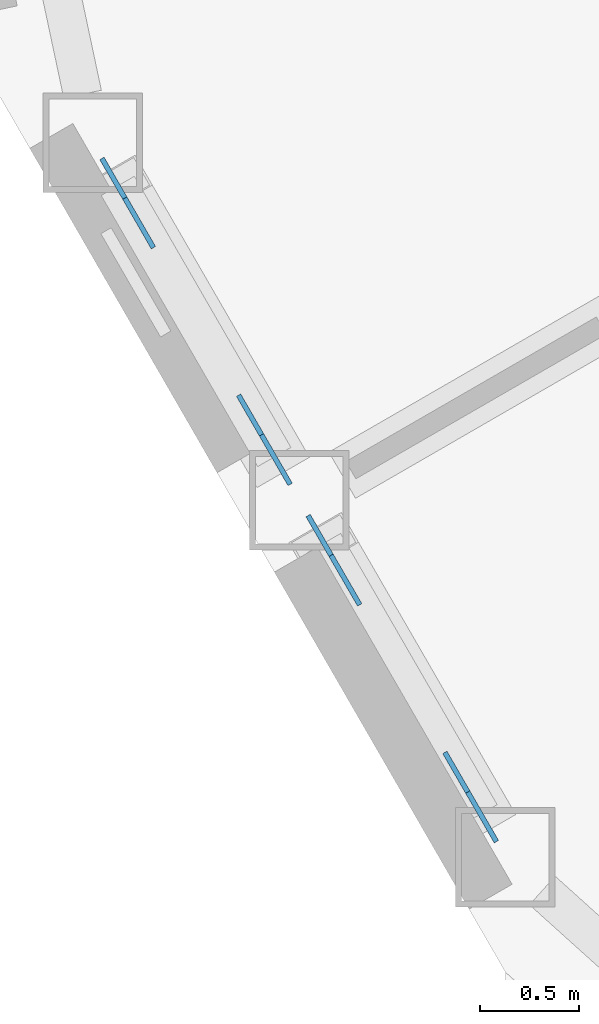
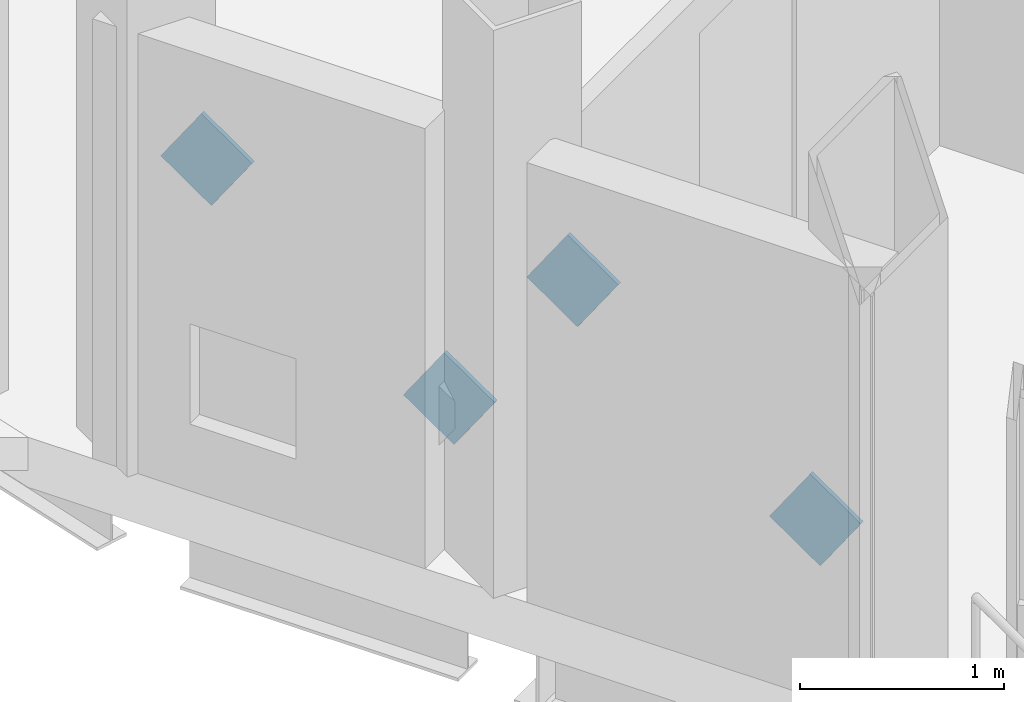
# One storey, part 19 of 26: 4 discrete accessories.
"""IFC4 building model written with IfcOpenShell, lengths in metres."""

from ifc_helpers import new_model, si_unit, direction, frame, origin, origin_2d, place, context, subcontext, project, spatial, rectangle, extrude, material, material_profile, profile_set, type_object, element, save


model = new_model("IFC4")

# Units and contexts
model_context = context("Model", 3, precision=1e-05, world=origin(), true_north=direction((0.0, 1.0)))
body_context = subcontext(model_context, "Body", "Model", "MODEL_VIEW")
ifc_project = project(units=[si_unit("LENGTHUNIT", "METRE"), si_unit("AREAUNIT", "SQUARE_METRE"), si_unit("VOLUMEUNIT", "CUBIC_METRE"), si_unit("PLANEANGLEUNIT", "RADIAN"), si_unit("MASSUNIT", "GRAM", prefix="KILO")], contexts=[model_context])

# Site, building, storey
site_placement = place(None, origin())
site = spatial("IfcSite", under=ifc_project, at=site_placement, CompositionType="ELEMENT")
building_placement = place(site_placement, origin())
building = spatial("IfcBuilding", under=site, at=building_placement, Name="Cormorant Prow Tower", CompositionType="ELEMENT")
storey_placement = place(building_placement, frame((0.0, 0.0, 371.199951171875)))
storey = spatial("IfcBuildingStorey", under=building, at=storey_placement, Name="L83", CompositionType="ELEMENT", Elevation=371.199951171875)

# Discrete accessories
ifc_material = material(Name="Structural steel ASTM A500 Gr C", Category="steel")
ifc_material_profile = material_profile(ifc_material, rectangle(XDim=0.02490234375, YDim=0.405029296875, at=origin_2d()), Name="Gusset plate 25x405")
ifc_profile_set = profile_set([ifc_material_profile], Name="Structural steel ASTM A500 Gr C")
discrete_accessory_type = type_object("IfcDiscreteAccessoryType", Name="Gusset plate 25x405", PredefinedType="BRACKET", material=ifc_profile_set)
discrete_accessory_1_placement = place(storey_placement, frame((-27.28369140625, -15.182373046875, 0.941162109375), z_axis=(0.411595697368, -0.712269842394, -0.568560158228), x_axis=(0.865832418869, 0.500334110806, 0.0)))
element("IfcDiscreteAccessory", 1, at=discrete_accessory_1_placement, inside=storey, type_object=discrete_accessory_type, Name="Gusset plate GP3 L83.WSW00.g0", PredefinedType="BRACKET", context=body_context, shape_type="SweptSolid", body=[
    extrude(rectangle(XDim=0.02490234375, YDim=0.405029296875, at=origin_2d()), origin(), (0.0, 0.0, 1.0), 0.349853515625),
])
discrete_accessory_2_placement = place(storey_placement, frame((-27.8271484375, -14.2412109375, 1.692626953125), z_axis=(-0.410852891059, 0.712191514043, 0.569195176748), x_axis=(-0.866199709737, -0.499697971631, 0.0)))
element("IfcDiscreteAccessory", 2, at=discrete_accessory_2_placement, inside=storey, type_object=discrete_accessory_type, Name="Gusset plate GP3 L83.WSW00.g1", PredefinedType="BRACKET", context=body_context, shape_type="SweptSolid", body=[
    extrude(rectangle(XDim=0.02490234375, YDim=0.405029296875, at=origin_2d()), origin(), (0.0, 0.0, 1.0), 0.35009765625),
])
discrete_accessory_3_placement = place(storey_placement, frame((-26.246826171875, -16.978271484375, 0.941162109375), z_axis=(0.411595697368, -0.712269842394, -0.568560158228), x_axis=(0.865832418869, 0.500334110806, 0.0)))
element("IfcDiscreteAccessory", 3, at=discrete_accessory_3_placement, inside=storey, type_object=discrete_accessory_type, Name="Gusset plate GP3 L83.WSW01.g0", PredefinedType="BRACKET", context=body_context, shape_type="SweptSolid", body=[
    extrude(rectangle(XDim=0.02490234375, YDim=0.405029296875, at=origin_2d()), origin(), (0.0, 0.0, 1.0), 0.349853515625),
])
discrete_accessory_4_placement = place(storey_placement, frame((-26.7900390625, -16.037109375, 1.692626953125), z_axis=(-0.411432439557, 0.711987323368, 0.5690319842), x_axis=(-0.865832418869, -0.500334110806, 0.0)))
element("IfcDiscreteAccessory", 4, at=discrete_accessory_4_placement, inside=storey, type_object=discrete_accessory_type, Name="Gusset plate GP3 L83.WSW01.g1", PredefinedType="BRACKET", context=body_context, shape_type="SweptSolid", body=[
    extrude(rectangle(XDim=0.02490234375, YDim=0.405029296875, at=origin_2d()), origin(), (0.0, 0.0, 1.0), 0.35009765625),
])

save(model, "model.ifc")
